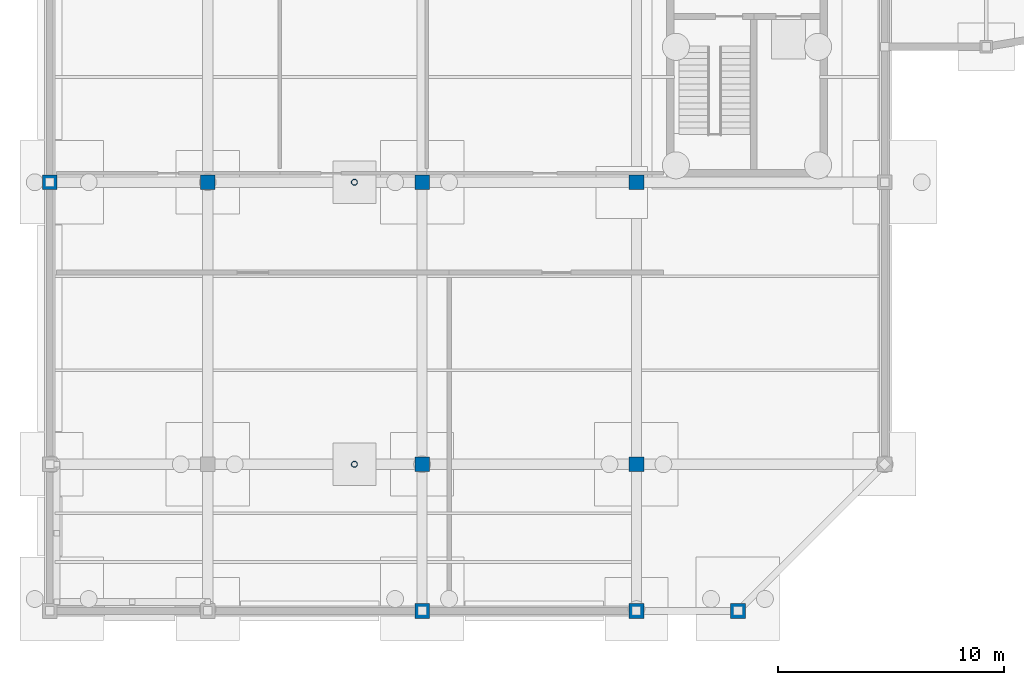
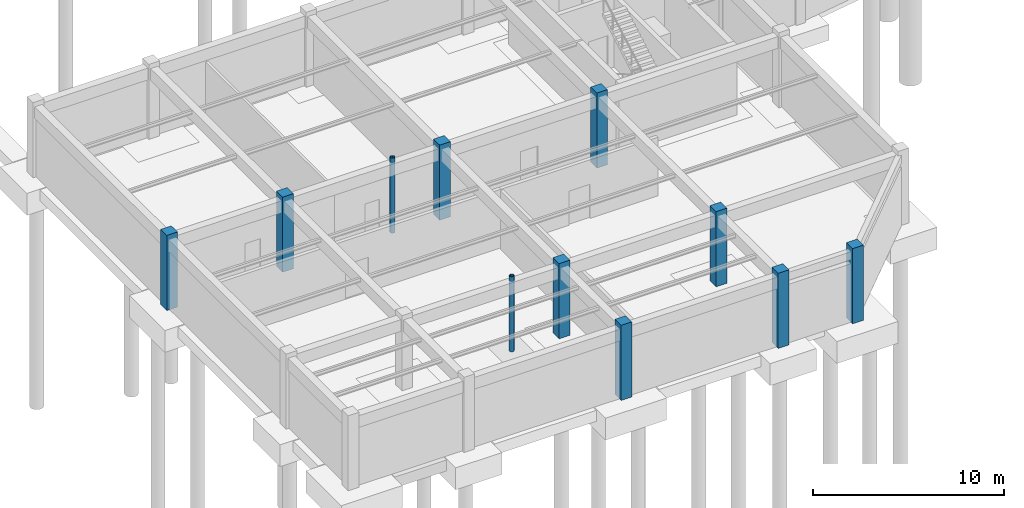
# One storey, part 6 of 42: 11 columns.
"""IFC4 building model written with IfcOpenShell, lengths in metres."""

from ifc_helpers import new_model, si_unit, direction, frame, origin, origin_2d, place, context, subcontext, project, spatial, rectangle, hollow_circle, extrude, material, material_profile, profile_set, type_object, element, save


model = new_model("IFC4")

# Units and contexts
model_context = context("Model", 3, precision=1e-05, world=origin(), true_north=direction((0.0, 1.0)))
body_context = subcontext(model_context, "Body", "Model", "MODEL_VIEW")
ifc_project = project(units=[si_unit("LENGTHUNIT", "METRE"), si_unit("AREAUNIT", "SQUARE_METRE"), si_unit("VOLUMEUNIT", "CUBIC_METRE"), si_unit("PLANEANGLEUNIT", "RADIAN"), si_unit("MASSUNIT", "GRAM", prefix="KILO")], contexts=[model_context])

# Site, building, storey
site_placement = place(None, origin())
site = spatial("IfcSite", under=ifc_project, at=site_placement, CompositionType="ELEMENT")
building_placement = place(site_placement, origin())
building = spatial("IfcBuilding", under=site, at=building_placement, Name="Tarnveldt Headland Concert Hall", CompositionType="ELEMENT")
storey_placement = place(building_placement, frame((0.0, 0.0, -4.800048828125)))
storey = spatial("IfcBuildingStorey", under=building, at=storey_placement, Name="B1", CompositionType="ELEMENT", Elevation=-4.800048828125)

# Columns
ifc_material_1 = material(Name="Concrete C40/50", Category="concrete")
ifc_material_profile_1 = material_profile(ifc_material_1, rectangle(XDim=0.64990234375, YDim=0.64990234375, at=origin_2d()), Name="RC 650x650", Category="concrete")
ifc_profile_set_1 = profile_set([ifc_material_profile_1], Name="Concrete C40/50")
column_type_1 = type_object("IfcColumnType", Name="CC-650", PredefinedType="COLUMN", material=ifc_profile_set_1)
for number, where, z_axis, x_axis, name in (
    (1, (24.0, 5.0, 0.0), (0.0, 0.0, 1.0), (1.0, 0.0, 0.0), "Column V4C03 B1"),
    (2, (33.5, 5.0, 0.0), (0.0, 0.0, 1.0), (1.0, 0.0, 0.0), "Column V4C04 B1"),
    (3, (38.0, 5.0, 0.0), (0.0, 0.0, 1.0), (1.0, 0.0, 0.0), "Column V4C05 B1"),
    (4, (7.5, 24.0, 0.0), (0.0, 0.0, 1.0), (1.0, 0.0, 0.0), "Column V4C13 B1"),
    (5, (24.0, 11.5, 0.0), (0.0, 0.0, 1.0), (1.0, 0.0, 0.0), "Column V4C16 B1"),
    (6, (33.5, 11.5, 0.0), (0.0, 0.0, 1.0), (1.0, 0.0, 0.0), "Column V4C17 B1"),
    (7, (14.5, 24.0, 0.0), (0.0, 0.0, 1.0), (1.0, 0.0, 0.0), "Column V4C18 B1"),
    (8, (24.0, 24.0, 0.0), (0.0, 0.0, 1.0), (1.0, 0.0, 0.0), "Column V4C19 B1"),
    (9, (33.5, 24.0, 0.0), (0.0, 0.0, 1.0), (1.0, 0.0, 0.0), "Column V4C20 B1"),
):
    element("IfcColumn", number, at=place(storey_placement, frame(where, z_axis=z_axis, x_axis=x_axis)), inside=storey, type_object=column_type_1, Name=name, PredefinedType="COLUMN", context=body_context, shape_type="SweptSolid", body=[
        extrude(rectangle(XDim=0.64990234375, YDim=0.64990234375, at=origin_2d()), origin(), (0.0, 0.0, 1.0), 4.800048828125),
    ])
ifc_material_2 = material(Name="Steel S355", Category="steel")
ifc_material_profile_2 = material_profile(ifc_material_2, hollow_circle(Radius=0.136474609375, WallThickness=0.01611328125, at=origin_2d()), Name="CHS 273x16", Category="steel")
ifc_profile_set_2 = profile_set([ifc_material_profile_2], Name="Steel S355")
column_type_2 = type_object("IfcColumnType", Name="SC-CHS273", PredefinedType="COLUMN", material=ifc_profile_set_2)
for number, where, z_axis, x_axis, name in (
    (10, (21.0, 11.5, 0.0), (0.0, 0.0, 1.0), (1.0, 0.0, 0.0), "Chamber balcony post 1 B1"),
    (11, (21.0, 24.0, 0.0), (0.0, 0.0, 1.0), (1.0, 0.0, 0.0), "Chamber balcony post 2 B1"),
):
    element("IfcColumn", number, at=place(storey_placement, frame(where, z_axis=z_axis, x_axis=x_axis)), inside=storey, type_object=column_type_2, Name=name, PredefinedType="COLUMN", context=body_context, shape_type="SweptSolid", body=[
        extrude(hollow_circle(Radius=0.136474609375, WallThickness=0.01611328125, at=origin_2d()), origin(), (0.0, 0.0, 1.0), 4.800048828125),
    ])

save(model, "model.ifc")
